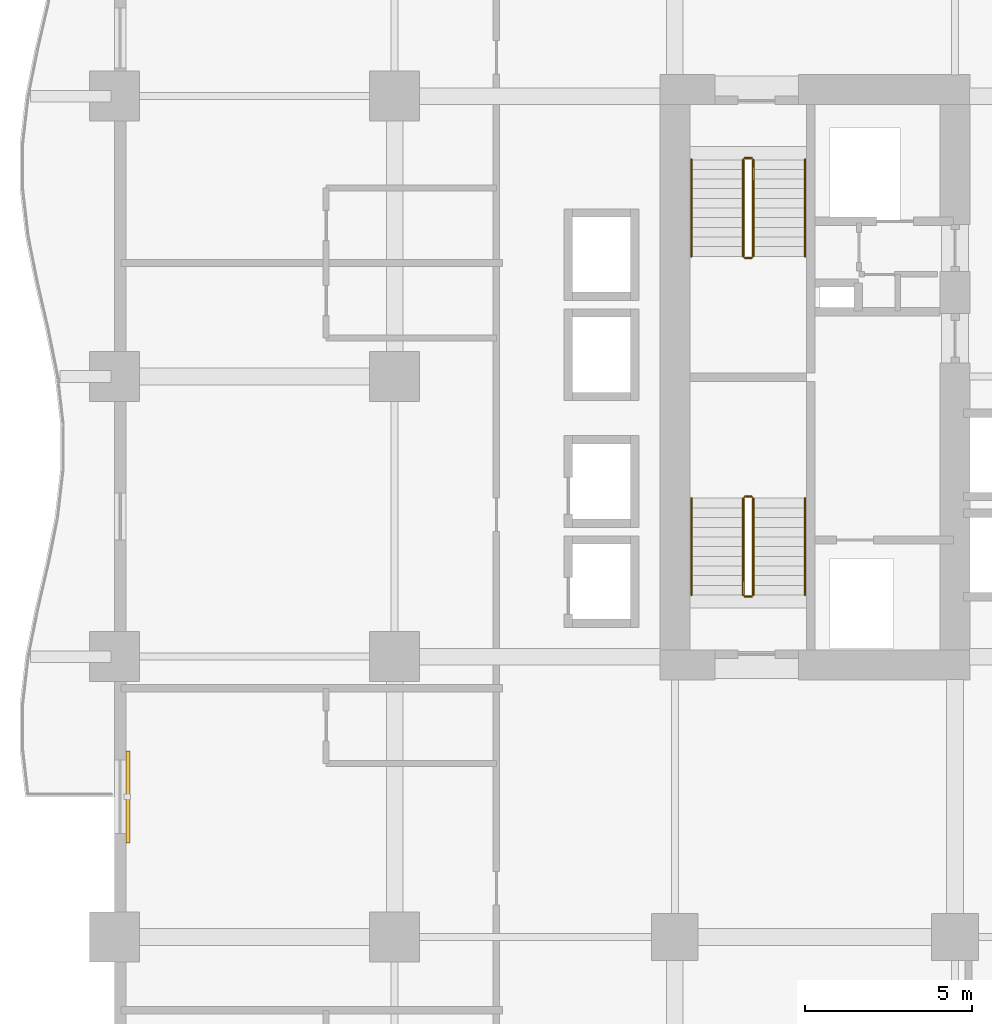
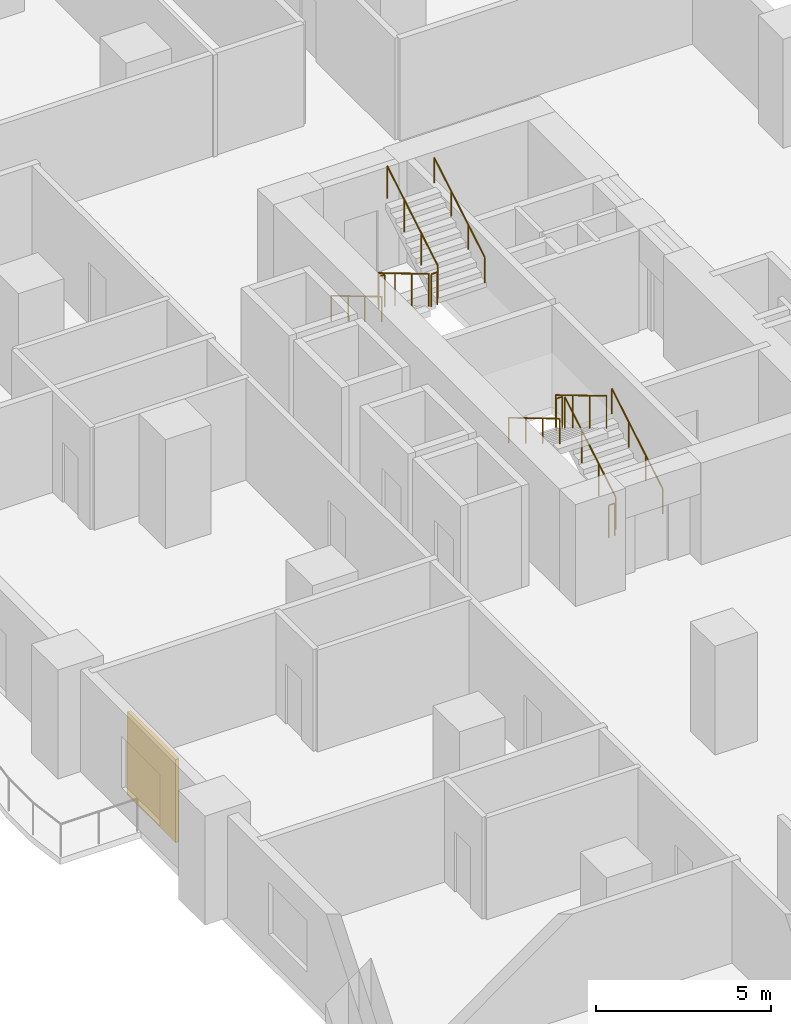
# One storey, part 19 of 20: 12 railings, 1 shading device.
"""IFC4 building model written with IfcOpenShell, lengths in metres."""

from ifc_helpers import new_model, si_unit, direction, frame, origin, origin_2d, place, context, subcontext, project, spatial, rectangle, circle, extrude, material, layer, layer_set, type_object, element, save


model = new_model("IFC4")

# Units and contexts
model_context = context("Model", 3, precision=1e-05, world=origin(), true_north=direction((0.0, 1.0)))
body_context = subcontext(model_context, "Body", "Model", "MODEL_VIEW")
ifc_project = project(units=[si_unit("LENGTHUNIT", "METRE"), si_unit("AREAUNIT", "SQUARE_METRE"), si_unit("VOLUMEUNIT", "CUBIC_METRE"), si_unit("PLANEANGLEUNIT", "RADIAN"), si_unit("MASSUNIT", "GRAM", prefix="KILO")], contexts=[model_context])

# Site, building, storey
site_placement = place(None, origin())
site = spatial("IfcSite", under=ifc_project, at=site_placement, CompositionType="ELEMENT")
building_placement = place(site_placement, origin())
building = spatial("IfcBuilding", under=site, at=building_placement, Name="Koriwani Terraces Tower", CompositionType="ELEMENT")
storey_placement = place(building_placement, frame((0.0, 0.0, 73.800048828125)))
storey = spatial("IfcBuildingStorey", under=building, at=storey_placement, Name="L17", CompositionType="ELEMENT", Elevation=73.800048828125)

# Railings
ifc_material_1 = material(Name="Steel ASTM A572 Grade 50", Category="steel")
railing_type_1 = type_object("IfcRailingType", Name="GUARD_STAIR_WELL_1120", PredefinedType="GUARDRAIL", material=ifc_material_1)
railing_1_placement = place(storey_placement, frame((19.14990234375, 43.85009765625, 0.172607421875)))
element("IfcRailing", 1, at=railing_1_placement, inside=storey, type_object=railing_type_1, Name="L17 ST-W1 stair guard 1", PredefinedType="GUARDRAIL", context=body_context, shape_type="SweptSolid", body=[
    extrude(circle(Radius=0.02392578125, at=origin_2d()), frame((0.0, 0.0, 1.1259765625), z_axis=(0.0, 0.859141464434, 0.511738159696), x_axis=(-1.0, 0.0, 0.0)), (0.0, 0.0, 1.0), 3.375244140625),
    extrude(circle(Radius=0.02099609375, at=origin_2d()), origin(), (0.0, 0.0, 1.0), 1.101806640625),
    extrude(circle(Radius=0.02099609375, at=origin_2d()), frame((0.0, 0.966552734375, 0.57568359375)), (0.0, 0.0, 1.0), 1.101806640625),
    extrude(circle(Radius=0.02099609375, at=origin_2d()), frame((0.0, 1.933349609375, 1.151611328125)), (0.0, 0.0, 1.0), 1.101806640625),
    extrude(circle(Radius=0.02099609375, at=origin_2d()), frame((0.0, 2.89990234375, 1.727294921875)), (0.0, 0.0, 1.0), 1.101806640625),
])
railing_2_placement = place(storey_placement, frame((19.10009765625, 46.800048828125, 1.89990234375)))
element("IfcRailing", 2, at=railing_2_placement, inside=storey, type_object=railing_type_1, Name="L17 ST-W1 stair guard 2", PredefinedType="GUARDRAIL", context=body_context, shape_type="SweptSolid", body=[
    extrude(circle(Radius=0.02392578125, at=origin_2d()), frame((0.0, 0.0, 1.1259765625), z_axis=(-1.0, 0.0, 0.0), x_axis=(0.0, -1.0, 0.0)), (0.0, 0.0, 1.0), 0.2001953125),
    extrude(circle(Radius=0.02099609375, at=origin_2d()), origin(), (0.0, 0.0, 1.0), 1.101806640625),
    extrude(circle(Radius=0.02099609375, at=origin_2d()), frame((-0.2001953125, 0.0, 0.0)), (0.0, 0.0, 1.0), 1.101806640625),
])
railing_3_placement = place(storey_placement, frame((18.85009765625, 46.75, 2.07275390625)))
element("IfcRailing", 3, at=railing_3_placement, inside=storey, type_object=railing_type_1, Name="L17 ST-W1 stair guard 3", PredefinedType="GUARDRAIL", context=body_context, shape_type="SweptSolid", body=[
    extrude(circle(Radius=0.02392578125, at=origin_2d()), frame((0.0, 0.0, 1.1259765625), z_axis=(0.0, -0.859141464434, 0.511738159696), x_axis=(1.0, 0.0, 0.0)), (0.0, 0.0, 1.0), 3.375244140625),
    extrude(circle(Radius=0.02099609375, at=origin_2d()), origin(), (0.0, 0.0, 1.0), 1.101806640625),
    extrude(circle(Radius=0.02099609375, at=origin_2d()), frame((0.0, -0.966552734375, 0.57568359375)), (0.0, 0.0, 1.0), 1.101806640625),
    extrude(circle(Radius=0.02099609375, at=origin_2d()), frame((0.0, -1.933349609375, 1.151611328125)), (0.0, 0.0, 1.0), 1.101806640625),
    extrude(circle(Radius=0.02099609375, at=origin_2d()), frame((0.0, -2.89990234375, 1.727294921875)), (0.0, 0.0, 1.0), 1.101806640625),
])
railing_4_placement = place(storey_placement, frame((19.10009765625, 43.800048828125, 0.0)))
element("IfcRailing", 4, at=railing_4_placement, inside=storey, type_object=railing_type_1, Name="L17 ST-W1 stair guard 4", PredefinedType="GUARDRAIL", context=body_context, shape_type="SweptSolid", body=[
    extrude(circle(Radius=0.02392578125, at=origin_2d()), frame((0.0, 0.0, 1.1259765625), z_axis=(-1.0, 0.0, 0.0), x_axis=(0.0, -1.0, 0.0)), (0.0, 0.0, 1.0), 0.2001953125),
    extrude(circle(Radius=0.02099609375, at=origin_2d()), origin(), (0.0, 0.0, 1.0), 1.101806640625),
    extrude(circle(Radius=0.02099609375, at=origin_2d()), frame((-0.2001953125, 0.0, 0.0)), (0.0, 0.0, 1.0), 1.101806640625),
])
railing_5_placement = place(storey_placement, frame((18.85009765625, 56.89990234375, 0.172607421875)))
element("IfcRailing", 5, at=railing_5_placement, inside=storey, type_object=railing_type_1, Name="L17 ST-W2 stair guard 1", PredefinedType="GUARDRAIL", context=body_context, shape_type="SweptSolid", body=[
    extrude(circle(Radius=0.02392578125, at=origin_2d()), frame((0.0, 0.0, 1.1259765625), z_axis=(0.0, -0.859141464434, 0.511738159696), x_axis=(1.0, 0.0, 0.0)), (0.0, 0.0, 1.0), 3.375244140625),
    extrude(circle(Radius=0.02099609375, at=origin_2d()), origin(), (0.0, 0.0, 1.0), 1.101806640625),
    extrude(circle(Radius=0.02099609375, at=origin_2d()), frame((0.0, -0.966552734375, 0.57568359375)), (0.0, 0.0, 1.0), 1.101806640625),
    extrude(circle(Radius=0.02099609375, at=origin_2d()), frame((0.0, -1.933349609375, 1.151611328125)), (0.0, 0.0, 1.0), 1.101806640625),
    extrude(circle(Radius=0.02099609375, at=origin_2d()), frame((0.0, -2.89990234375, 1.727294921875)), (0.0, 0.0, 1.0), 1.101806640625),
])
railing_6_placement = place(storey_placement, frame((18.89990234375, 53.949951171875, 1.89990234375)))
element("IfcRailing", 6, at=railing_6_placement, inside=storey, type_object=railing_type_1, Name="L17 ST-W2 stair guard 2", PredefinedType="GUARDRAIL", context=body_context, shape_type="SweptSolid", body=[
    extrude(circle(Radius=0.02392578125, at=origin_2d()), frame((0.0, 0.0, 1.1259765625), z_axis=(1.0, 0.0, 0.0), x_axis=(0.0, 1.0, 0.0)), (0.0, 0.0, 1.0), 0.2001953125),
    extrude(circle(Radius=0.02099609375, at=origin_2d()), origin(), (0.0, 0.0, 1.0), 1.101806640625),
    extrude(circle(Radius=0.02099609375, at=origin_2d()), frame((0.2001953125, 0.0, 0.0)), (0.0, 0.0, 1.0), 1.101806640625),
])
railing_7_placement = place(storey_placement, frame((19.14990234375, 54.0, 2.07275390625)))
element("IfcRailing", 7, at=railing_7_placement, inside=storey, type_object=railing_type_1, Name="L17 ST-W2 stair guard 3", PredefinedType="GUARDRAIL", context=body_context, shape_type="SweptSolid", body=[
    extrude(circle(Radius=0.02392578125, at=origin_2d()), frame((0.0, 0.0, 1.1259765625), z_axis=(0.0, 0.859141464434, 0.511738159696), x_axis=(-1.0, 0.0, 0.0)), (0.0, 0.0, 1.0), 3.375244140625),
    extrude(circle(Radius=0.02099609375, at=origin_2d()), origin(), (0.0, 0.0, 1.0), 1.101806640625),
    extrude(circle(Radius=0.02099609375, at=origin_2d()), frame((0.0, 0.966552734375, 0.57568359375)), (0.0, 0.0, 1.0), 1.101806640625),
    extrude(circle(Radius=0.02099609375, at=origin_2d()), frame((0.0, 1.933349609375, 1.151611328125)), (0.0, 0.0, 1.0), 1.101806640625),
    extrude(circle(Radius=0.02099609375, at=origin_2d()), frame((0.0, 2.89990234375, 1.727294921875)), (0.0, 0.0, 1.0), 1.101806640625),
])
railing_8_placement = place(storey_placement, frame((18.89990234375, 56.949951171875, 0.0)))
element("IfcRailing", 8, at=railing_8_placement, inside=storey, type_object=railing_type_1, Name="L17 ST-W2 stair guard 4", PredefinedType="GUARDRAIL", context=body_context, shape_type="SweptSolid", body=[
    extrude(circle(Radius=0.02392578125, at=origin_2d()), frame((0.0, 0.0, 1.1259765625), z_axis=(1.0, 0.0, 0.0), x_axis=(0.0, 1.0, 0.0)), (0.0, 0.0, 1.0), 0.2001953125),
    extrude(circle(Radius=0.02099609375, at=origin_2d()), origin(), (0.0, 0.0, 1.0), 1.101806640625),
    extrude(circle(Radius=0.02099609375, at=origin_2d()), frame((0.2001953125, 0.0, 0.0)), (0.0, 0.0, 1.0), 1.101806640625),
])
railing_type_2 = type_object("IfcRailingType", Name="HANDRAIL_STAIR_920", PredefinedType="HANDRAIL", material=ifc_material_1)
railing_9_placement = place(storey_placement, frame((20.699951171875, 43.85009765625, 0.172607421875)))
element("IfcRailing", 9, at=railing_9_placement, inside=storey, type_object=railing_type_2, Name="L17 ST-W1 stair handrail 1", PredefinedType="HANDRAIL", context=body_context, shape_type="SweptSolid", body=[
    extrude(circle(Radius=0.02392578125, at=origin_2d()), frame((0.0, 0.0, 0.8759765625), z_axis=(0.0, 0.859141464434, 0.511738159696), x_axis=(-1.0, 0.0, 0.0)), (0.0, 0.0, 1.0), 3.375244140625),
    extrude(circle(Radius=0.02099609375, at=origin_2d()), origin(), (0.0, 0.0, 1.0), 0.851806640625),
    extrude(circle(Radius=0.02099609375, at=origin_2d()), frame((0.0, 0.966552734375, 0.57568359375)), (0.0, 0.0, 1.0), 0.851806640625),
    extrude(circle(Radius=0.02099609375, at=origin_2d()), frame((0.0, 1.933349609375, 1.151611328125)), (0.0, 0.0, 1.0), 0.851806640625),
    extrude(circle(Radius=0.02099609375, at=origin_2d()), frame((0.0, 2.89990234375, 1.727294921875)), (0.0, 0.0, 1.0), 0.851806640625),
])
for number, where, name in (
    (10, (17.300048828125, 46.75, 2.07275390625), "L17 ST-W1 stair handrail 2"),
    (11, (17.300048828125, 56.89990234375, 0.172607421875), "L17 ST-W2 stair handrail 1"),
):
    element("IfcRailing", number, at=place(storey_placement, frame(where)), inside=storey, type_object=railing_type_2, Name=name, PredefinedType="HANDRAIL", context=body_context, shape_type="SweptSolid", body=[
        extrude(circle(Radius=0.02392578125, at=origin_2d()), frame((0.0, 0.0, 0.8759765625), z_axis=(0.0, -0.859141464434, 0.511738159696), x_axis=(1.0, 0.0, 0.0)), (0.0, 0.0, 1.0), 3.375244140625),
        extrude(circle(Radius=0.02099609375, at=origin_2d()), origin(), (0.0, 0.0, 1.0), 0.851806640625),
        extrude(circle(Radius=0.02099609375, at=origin_2d()), frame((0.0, -0.966552734375, 0.57568359375)), (0.0, 0.0, 1.0), 0.851806640625),
        extrude(circle(Radius=0.02099609375, at=origin_2d()), frame((0.0, -1.933349609375, 1.151611328125)), (0.0, 0.0, 1.0), 0.851806640625),
        extrude(circle(Radius=0.02099609375, at=origin_2d()), frame((0.0, -2.89990234375, 1.727294921875)), (0.0, 0.0, 1.0), 0.851806640625),
    ])
railing_10_placement = place(storey_placement, frame((20.699951171875, 54.0, 2.07275390625)))
element("IfcRailing", 12, at=railing_10_placement, inside=storey, type_object=railing_type_2, Name="L17 ST-W2 stair handrail 2", PredefinedType="HANDRAIL", context=body_context, shape_type="SweptSolid", body=[
    extrude(circle(Radius=0.02392578125, at=origin_2d()), frame((0.0, 0.0, 0.8759765625), z_axis=(0.0, 0.859141464434, 0.511738159696), x_axis=(-1.0, 0.0, 0.0)), (0.0, 0.0, 1.0), 3.375244140625),
    extrude(circle(Radius=0.02099609375, at=origin_2d()), origin(), (0.0, 0.0, 1.0), 0.851806640625),
    extrude(circle(Radius=0.02099609375, at=origin_2d()), frame((0.0, 0.966552734375, 0.57568359375)), (0.0, 0.0, 1.0), 0.851806640625),
    extrude(circle(Radius=0.02099609375, at=origin_2d()), frame((0.0, 1.933349609375, 1.151611328125)), (0.0, 0.0, 1.0), 0.851806640625),
    extrude(circle(Radius=0.02099609375, at=origin_2d()), frame((0.0, 2.89990234375, 1.727294921875)), (0.0, 0.0, 1.0), 0.851806640625),
])

# Shading device
ifc_material_2 = material(Name="Extruded Terracotta Clay", Category="masonry")
ifc_layer = layer(ifc_material_2, 0.1201171875, Name="Extruded Terracotta Clay")
ifc_layer_set = layer_set([ifc_layer], Name="Extruded Terracotta Clay")
shading_device_type = type_object("IfcShadingDeviceType", Name="TERRACOTTA_BAGUETTE_SCREEN_2800", PredefinedType="USERDEFINED", material=ifc_layer_set)
shading_device_placement = place(storey_placement, frame((0.405029296875, 37.800048828125, 0.324951171875), z_axis=(0.0, 0.0, 1.0), x_axis=(0.0, 1.0, 0.0)))
element("IfcShadingDevice", 13, at=shading_device_placement, inside=storey, type_object=shading_device_type, Name="L17 Extruded Terracotta Baguette Screen (W-12)", ObjectType="BAGUETTE", PredefinedType="USERDEFINED", context=body_context, shape_type="SweptSolid", body=[
    extrude(rectangle(XDim=2.760009765625, YDim=0.1201171875, at=origin_2d()), origin(), (0.0, 0.0, 1.0), 2.89990234375),
])

save(model, "model.ifc")
